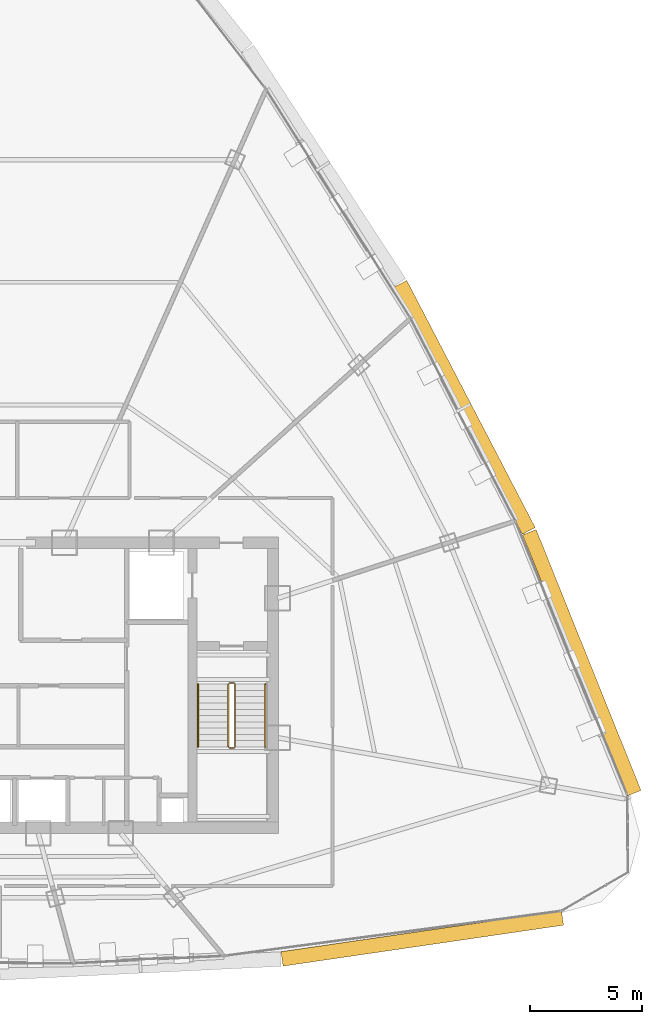
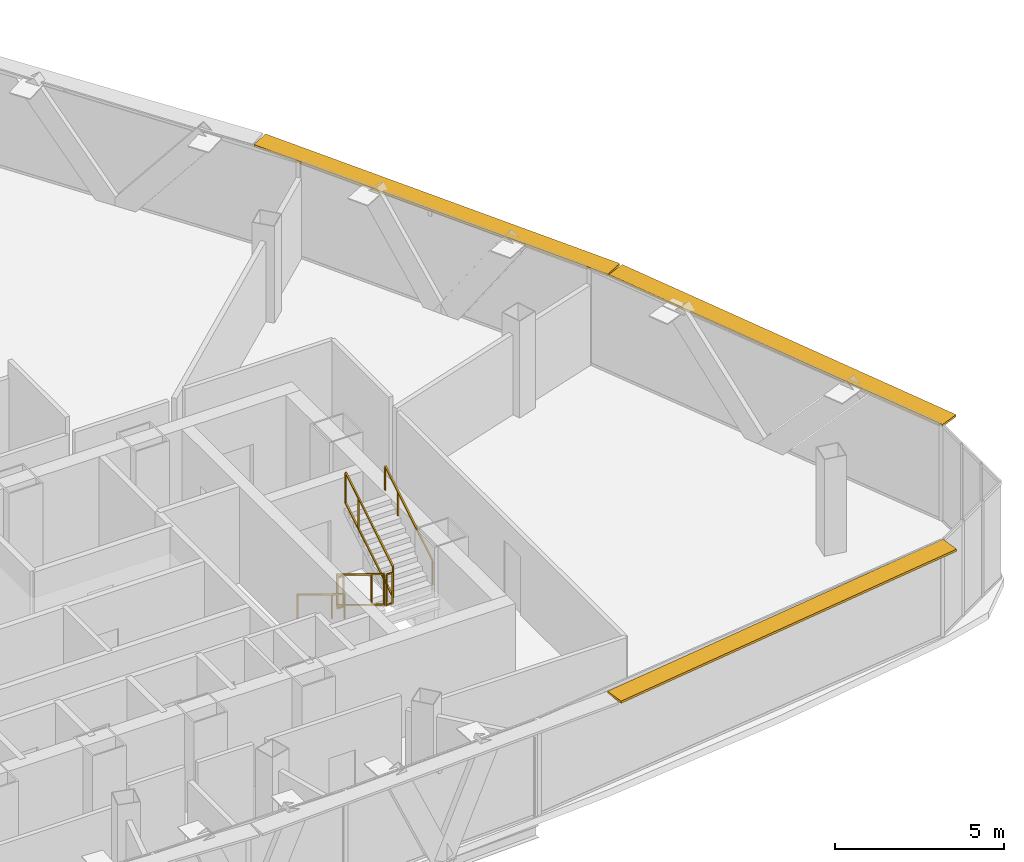
# One storey, part 26 of 27: 6 railings, 3 shading devices.
"""IFC4 building model written with IfcOpenShell, lengths in metres."""

from ifc_helpers import new_model, si_unit, direction, frame, origin, origin_2d, place, context, subcontext, project, spatial, rectangle, extrude, source, transform, mapped, material, layer, layer_set, type_object, element, save


model = new_model("IFC4")

# Units and contexts
model_context = context("Model", 3, precision=1e-05, world=origin(), true_north=direction((0.0, 1.0)))
body_context = subcontext(model_context, "Body", "Model", "MODEL_VIEW")
ifc_project = project(units=[si_unit("LENGTHUNIT", "METRE"), si_unit("AREAUNIT", "SQUARE_METRE"), si_unit("VOLUMEUNIT", "CUBIC_METRE"), si_unit("PLANEANGLEUNIT", "RADIAN"), si_unit("MASSUNIT", "GRAM", prefix="KILO"), si_unit("THERMODYNAMICTEMPERATUREUNIT", "KELVIN"), si_unit("POWERUNIT", "WATT")], contexts=[model_context])

# Site, building, storey
site_placement = place(None, origin())
site = spatial("IfcSite", under=ifc_project, at=site_placement, CompositionType="ELEMENT")
building_placement = place(site_placement, origin())
building = spatial("IfcBuilding", under=site, at=building_placement, Name="Yunzhuo Pagoda Commons", CompositionType="ELEMENT")
storey_placement = place(building_placement, frame((0.0, 0.0, 344.260009765625)))
storey = spatial("IfcBuildingStorey", under=building, at=storey_placement, Name="L86", CompositionType="ELEMENT", Elevation=344.260009765625)

# Railings
ifc_material = material(Name="Anodized aluminium 6063-T6", Category="aluminium")
railing_type_1 = type_object("IfcRailingType", Name="GR-ST2 Stair Well Guardrail 1160", PredefinedType="GUARDRAIL", material=ifc_material)
railing_1_placement = place(storey_placement, frame((58.199951171875, 33.89990234375, 0.17041015625)))
element("IfcRailing", 1, at=railing_1_placement, inside=storey, type_object=railing_type_1, Name="L86 ST2 stair guard 1", PredefinedType="GUARDRAIL", context=body_context, shape_type="SweptSolid", body=[
    extrude(rectangle(XDim=0.048095703125, YDim=0.048095703125, at=origin_2d()), frame((0.0, 0.0, 1.1259765625), z_axis=(0.0, -0.854149651119, 0.520027281489), x_axis=(1.0, 0.0, 0.0)), (0.0, 0.0, 1.0), 3.27783203125),
    extrude(rectangle(XDim=0.048095703125, YDim=0.048095703125, at=origin_2d()), frame((0.0, 0.0, 0.02392578125), z_axis=(0.0, -0.854149651119, 0.520027281489), x_axis=(1.0, 0.0, 0.0)), (0.0, 0.0, 1.0), 3.27783203125),
    extrude(rectangle(XDim=0.0419921875, YDim=0.0419921875, at=origin_2d()), origin(), (0.0, 0.0, 1.0), 1.101806640625),
    extrude(rectangle(XDim=0.0419921875, YDim=0.0419921875, at=origin_2d()), frame((0.0, -2.050048828125, 1.248046875)), (0.0, 0.0, 1.0), 1.101806640625),
    extrude(rectangle(XDim=0.0419921875, YDim=0.0419921875, at=origin_2d()), frame((0.0, -2.7998046875, 1.70458984375)), (0.0, 0.0, 1.0), 1.101806640625),
])
railing_2_placement = place(storey_placement, frame((58.25, 31.050048828125, 1.875)))
element("IfcRailing", 2, at=railing_2_placement, inside=storey, type_object=railing_type_1, Name="L86 ST2 stair guard 2", PredefinedType="GUARDRAIL", context=body_context, shape_type="SweptSolid", body=[
    extrude(rectangle(XDim=0.048095703125, YDim=0.048095703125, at=origin_2d()), frame((0.0, 0.0, 1.1259765625), z_axis=(1.0, 0.0, 0.0), x_axis=(0.0, 1.0, 0.0)), (0.0, 0.0, 1.0), 0.199951171875),
    extrude(rectangle(XDim=0.048095703125, YDim=0.048095703125, at=origin_2d()), frame((0.0, 0.0, 0.02392578125), z_axis=(1.0, 0.0, 0.0), x_axis=(0.0, 1.0, 0.0)), (0.0, 0.0, 1.0), 0.199951171875),
    extrude(rectangle(XDim=0.0419921875, YDim=0.0419921875, at=origin_2d()), origin(), (0.0, 0.0, 1.0), 1.101806640625),
    extrude(rectangle(XDim=0.0419921875, YDim=0.0419921875, at=origin_2d()), frame((0.199951171875, 0.0, 0.0)), (0.0, 0.0, 1.0), 1.101806640625),
])
railing_3_placement = place(storey_placement, frame((58.5, 31.10009765625, 2.04541015625)))
element("IfcRailing", 3, at=railing_3_placement, inside=storey, type_object=railing_type_1, Name="L86 ST2 stair guard 3", PredefinedType="GUARDRAIL", context=body_context, shape_type="SweptSolid", body=[
    extrude(rectangle(XDim=0.048095703125, YDim=0.048095703125, at=origin_2d()), frame((0.0, 0.0, 1.1259765625), z_axis=(0.0, 0.854149651119, 0.520027281489), x_axis=(-1.0, 0.0, 0.0)), (0.0, 0.0, 1.0), 3.27783203125),
    extrude(rectangle(XDim=0.048095703125, YDim=0.048095703125, at=origin_2d()), frame((0.0, 0.0, 0.02392578125), z_axis=(0.0, 0.854149651119, 0.520027281489), x_axis=(-1.0, 0.0, 0.0)), (0.0, 0.0, 1.0), 3.27783203125),
    extrude(rectangle(XDim=0.0419921875, YDim=0.0419921875, at=origin_2d()), origin(), (0.0, 0.0, 1.0), 1.101806640625),
    extrude(rectangle(XDim=0.0419921875, YDim=0.0419921875, at=origin_2d()), frame((0.0, 2.050048828125, 1.248046875)), (0.0, 0.0, 1.0), 1.101806640625),
    extrude(rectangle(XDim=0.0419921875, YDim=0.0419921875, at=origin_2d()), frame((0.0, 2.7998046875, 1.70458984375)), (0.0, 0.0, 1.0), 1.101806640625),
])
railing_4_placement = place(storey_placement, frame((58.25, 33.949951171875, 0.0)))
element("IfcRailing", 4, at=railing_4_placement, inside=storey, type_object=railing_type_1, Name="L86 ST2 stair guard 4", PredefinedType="GUARDRAIL", context=body_context, shape_type="SweptSolid", body=[
    extrude(rectangle(XDim=0.048095703125, YDim=0.048095703125, at=origin_2d()), frame((0.0, 0.0, 1.1259765625), z_axis=(1.0, 0.0, 0.0), x_axis=(0.0, 1.0, 0.0)), (0.0, 0.0, 1.0), 0.199951171875),
    extrude(rectangle(XDim=0.048095703125, YDim=0.048095703125, at=origin_2d()), frame((0.0, 0.0, 0.02392578125), z_axis=(1.0, 0.0, 0.0), x_axis=(0.0, 1.0, 0.0)), (0.0, 0.0, 1.0), 0.199951171875),
    extrude(rectangle(XDim=0.0419921875, YDim=0.0419921875, at=origin_2d()), origin(), (0.0, 0.0, 1.0), 1.101806640625),
    extrude(rectangle(XDim=0.0419921875, YDim=0.0419921875, at=origin_2d()), frame((0.199951171875, 0.0, 0.0)), (0.0, 0.0, 1.0), 1.101806640625),
])
railing_type_2 = type_object("IfcRailingType", Name="HR-ST2 Stair Handrail 900", PredefinedType="HANDRAIL", material=ifc_material)
railing_5_placement = place(storey_placement, frame((56.85009765625, 33.89990234375, 0.17041015625)))
element("IfcRailing", 5, at=railing_5_placement, inside=storey, type_object=railing_type_2, Name="L86 ST2 stair handrail 1", PredefinedType="HANDRAIL", context=body_context, shape_type="SweptSolid", body=[
    extrude(rectangle(XDim=0.048095703125, YDim=0.048095703125, at=origin_2d()), frame((0.0, 0.0, 0.8759765625), z_axis=(0.0, -0.854149651119, 0.520027281489), x_axis=(1.0, 0.0, 0.0)), (0.0, 0.0, 1.0), 3.27783203125),
    extrude(rectangle(XDim=0.0419921875, YDim=0.0419921875, at=origin_2d()), origin(), (0.0, 0.0, 1.0), 0.851806640625),
    extrude(rectangle(XDim=0.0419921875, YDim=0.0419921875, at=origin_2d()), frame((0.0, -2.050048828125, 1.248046875)), (0.0, 0.0, 1.0), 0.851806640625),
    extrude(rectangle(XDim=0.0419921875, YDim=0.0419921875, at=origin_2d()), frame((0.0, -2.7998046875, 1.70458984375)), (0.0, 0.0, 1.0), 0.851806640625),
])
railing_6_placement = place(storey_placement, frame((59.85009765625, 31.10009765625, 2.04541015625)))
element("IfcRailing", 6, at=railing_6_placement, inside=storey, type_object=railing_type_2, Name="L86 ST2 stair handrail 2", PredefinedType="HANDRAIL", context=body_context, shape_type="SweptSolid", body=[
    extrude(rectangle(XDim=0.048095703125, YDim=0.048095703125, at=origin_2d()), frame((0.0, 0.0, 0.8759765625), z_axis=(0.0, 0.854149651119, 0.520027281489), x_axis=(-1.0, 0.0, 0.0)), (0.0, 0.0, 1.0), 3.27783203125),
    extrude(rectangle(XDim=0.0419921875, YDim=0.0419921875, at=origin_2d()), origin(), (0.0, 0.0, 1.0), 0.851806640625),
    extrude(rectangle(XDim=0.0419921875, YDim=0.0419921875, at=origin_2d()), frame((0.0, 2.050048828125, 1.248046875)), (0.0, 0.0, 1.0), 0.851806640625),
    extrude(rectangle(XDim=0.0419921875, YDim=0.0419921875, at=origin_2d()), frame((0.0, 2.7998046875, 1.70458984375)), (0.0, 0.0, 1.0), 0.851806640625),
])

# Shading devices
ifc_layer = layer(ifc_material, 0.080078125)
ifc_layer_set = layer_set([ifc_layer], Name="Anodized aluminium 6063-T6")
shading_device_type = type_object("IfcShadingDeviceType", Name="SH-SUN1 Pagoda Horizontal Sunshade Eave 650", PredefinedType="USERDEFINED", material=ifc_layer_set)
shared_shape_1 = source(origin(), body_context, "Body", "SweptSolid", [
    extrude(rectangle(XDim=12.63623046875, YDim=0.64990234375, at=origin_2d()), origin(), (0.0, 0.0, 1.0), 0.080078125),
])
shading_device_1_placement = place(storey_placement, frame((66.849609375, 22.563720703125, 3.409912109375), z_axis=(0.0, 0.0, 1.0), x_axis=(0.989510666697, 0.144459823108, 0.0)))
element("IfcShadingDevice", 7, at=shading_device_1_placement, inside=storey, type_object=shading_device_type, Name="L86 horizontal pagoda sunshade eave F1.4", ObjectType="SUNSHADE", PredefinedType="USERDEFINED", context=body_context, shape_type="MappedRepresentation", body=[
    mapped(shared_shape_1, transform((0.0, 0.0, 0.0), scale=1.0)),
])
shared_shape_2 = source(origin(), body_context, "Body", "SweptSolid", [
    extrude(rectangle(XDim=12.534423828125, YDim=0.64990234375, at=origin_2d()), origin(), (0.0, 0.0, 1.0), 0.080078125),
])
shading_device_2_placement = place(storey_placement, frame((73.96044921875, 34.8583984375, 3.409912109375), z_axis=(0.0, 0.0, 1.0), x_axis=(-0.372987782576, 0.927836253899, 0.0)))
element("IfcShadingDevice", 8, at=shading_device_2_placement, inside=storey, type_object=shading_device_type, Name="L86 horizontal pagoda sunshade eave F2.1", ObjectType="SUNSHADE", PredefinedType="USERDEFINED", context=body_context, shape_type="MappedRepresentation", body=[
    mapped(shared_shape_2, transform((0.0, 0.0, 0.0), scale=1.0)),
])
shared_shape_3 = source(origin(), body_context, "Body", "SweptSolid", [
    extrude(rectangle(XDim=12.41552734375, YDim=0.64990234375, at=origin_2d()), origin(), (0.0, 0.0, 1.0), 0.080078125),
])
shading_device_3_placement = place(storey_placement, frame((68.7333984375, 46.239013671875, 3.409912109375), z_axis=(0.0, 0.0, 1.0), x_axis=(-0.461206683033, 0.88729273384, 0.0)))
element("IfcShadingDevice", 9, at=shading_device_3_placement, inside=storey, type_object=shading_device_type, Name="L86 horizontal pagoda sunshade eave F2.2", ObjectType="SUNSHADE", PredefinedType="USERDEFINED", context=body_context, shape_type="MappedRepresentation", body=[
    mapped(shared_shape_3, transform((0.0, 0.0, 0.0), scale=1.0)),
])

save(model, "model.ifc")
